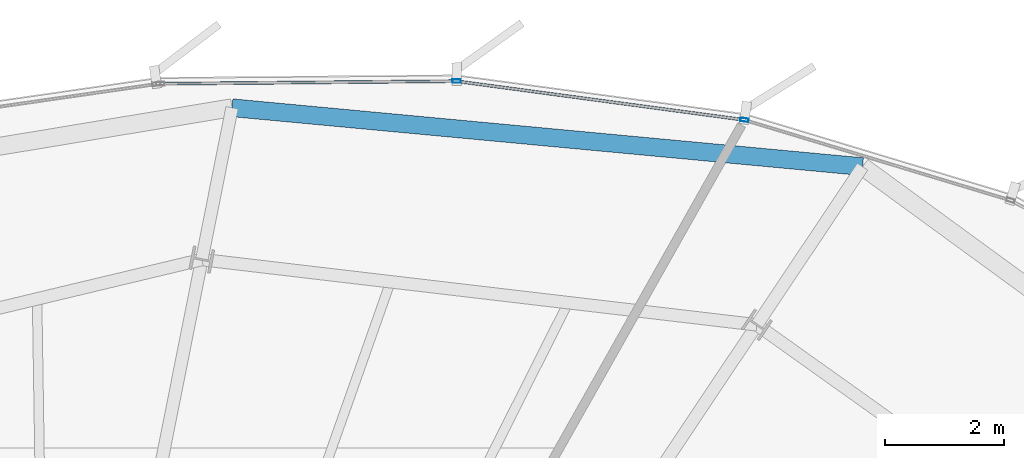
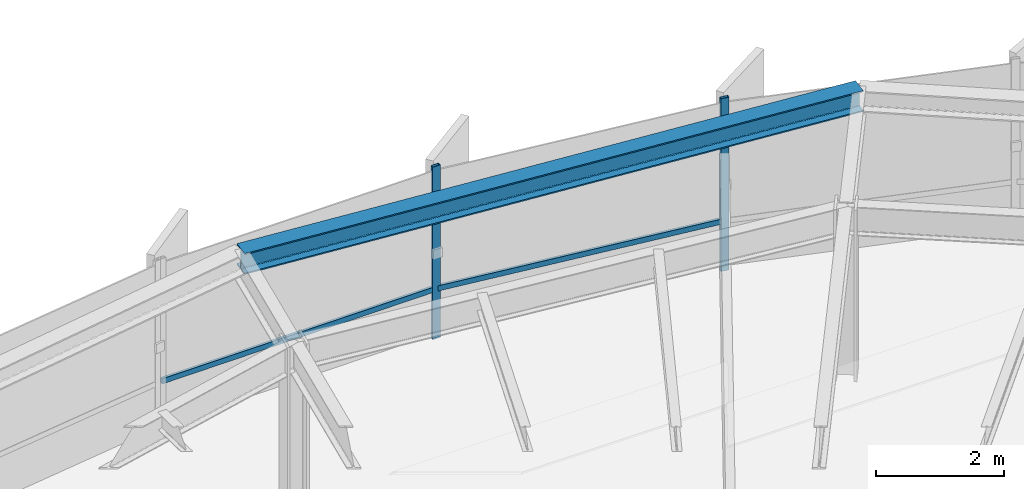
# One storey, part 27 of 35: 4 members, 1 beam, 1 element without a shape of its own.
"""IFC4 building model written with IfcOpenShell, lengths in metres."""

from ifc_helpers import new_model, si_unit, direction, frame, origin, origin_2d, place, context, subcontext, project, spatial, hollow_rectangle, i_section, extrude, source, transform, mapped, material, layer, layer_set, material_profile, profile_set, type_object, element, aggregate, save


model = new_model("IFC4")

# Units and contexts
model_context = context("Model", 3, precision=1e-05, world=origin(), true_north=direction((0.0, 1.0)))
body_context = subcontext(model_context, "Body", "Model", "MODEL_VIEW")
ifc_project = project(units=[si_unit("LENGTHUNIT", "METRE"), si_unit("AREAUNIT", "SQUARE_METRE"), si_unit("VOLUMEUNIT", "CUBIC_METRE"), si_unit("PLANEANGLEUNIT", "RADIAN"), si_unit("MASSUNIT", "GRAM", prefix="KILO"), si_unit("THERMODYNAMICTEMPERATUREUNIT", "KELVIN")], contexts=[model_context])

# Site, building, storey
site_placement = place(None, origin())
site = spatial("IfcSite", under=ifc_project, at=site_placement, CompositionType="ELEMENT")
building_placement = place(site_placement, origin())
building = spatial("IfcBuilding", under=site, at=building_placement, Name="Kethvar Cultural Tower", CompositionType="ELEMENT")
storey_placement = place(building_placement, frame((0.0, 0.0, 146.550048828125)))
storey = spatial("IfcBuildingStorey", under=building, at=storey_placement, Name="L37", CompositionType="ELEMENT", Elevation=146.550048828125)

# Beam
ifc_material_1 = material(Name="Steel S355J2", Category="steel")
ifc_material_profile_1 = material_profile(ifc_material_1, i_section(OverallWidth=0.300048828125, OverallDepth=0.39990234375, WebThickness=0.013427734375, FlangeThickness=0.02392578125, FilletRadius=0.027099609375, at=origin_2d()), Name="Steel S355J2 — HEB400")
ifc_profile_set_1 = profile_set([ifc_material_profile_1], Name="Steel S355J2 — HEB400")
beam_type = type_object("IfcBeamType", Name="BM-SP400", PredefinedType="SPANDREL", material=ifc_profile_set_1)
shared_shape_1 = source(origin(), body_context, "Body", "SweptSolid", [
    extrude(i_section(OverallWidth=0.300048828125, OverallDepth=0.39990234375, WebThickness=0.013427734375, FlangeThickness=0.02392578125, FilletRadius=0.027099609375, at=origin_2d()), origin(), (0.0, 0.0, 1.0), 10.65234375),
])
beam_placement = place(storey_placement, frame((62.1826171875, 50.821533203125, 3.097900390625), z_axis=(-0.995663529817, 0.093027605541, 0.0), x_axis=(-0.093027605541, -0.995663529817, 0.0)))
element("IfcBeam", 1, at=beam_placement, inside=storey, type_object=beam_type, Name="L37 Perimeter Spandrel Beam SP-03", PredefinedType="SPANDREL", context=body_context, shape_type="MappedRepresentation", body=[
    mapped(shared_shape_1, transform((0.0, 0.0, 0.0), scale=1.0)),
])

# Curtain wall, members
ifc_material_2 = material(Name="Aluminium 6063-T6", Category="aluminium")
ifc_layer = layer(ifc_material_2, 0.179931640625, Name="Aluminium 6063-T6", Category="aluminium")
ifc_layer_set = layer_set([ifc_layer], Name="Aluminium 6063-T6 (180 mm)")
curtain_wall_type = type_object("IfcCurtainWallType", Name="CW-SYS-04-Z34", PredefinedType="NOTDEFINED", material=ifc_layer_set)
curtain_wall_placement = place(storey_placement, origin())
curtain_wall = element("IfcCurtainWall", 2, at=curtain_wall_placement, inside=storey, type_object=curtain_wall_type, Name="L37 Curtain Wall Run 01", PredefinedType="NOTDEFINED")
ifc_material_profile_2 = material_profile(ifc_material_2, hollow_rectangle(XDim=0.06005859375, YDim=0.139892578125, WallThickness=0.0048828125, at=origin_2d()), Name="Aluminium 6063-T6 — RHS140x60x5")
ifc_profile_set_2 = profile_set([ifc_material_profile_2], Name="Aluminium 6063-T6 — RHS140x60x5")
member_type_1 = type_object("IfcMemberType", Name="CW-SYS-04-Z34-MUL", PredefinedType="MULLION", material=ifc_profile_set_2)
shared_shape_2 = source(origin(), body_context, "Body", "SweptSolid", [
    extrude(hollow_rectangle(XDim=0.06005859375, YDim=0.139892578125, WallThickness=0.0048828125, at=origin_2d()), origin(), (0.0, 0.0, 1.0), 3.300048828125),
])
member_1_placement = place(storey_placement, frame((60.19580078125, 51.607666015625, 0.0), z_axis=(0.0, 0.0, 1.0), x_axis=(-0.133225125519, -0.991085801498, 0.0)))
member_1 = element("IfcMember", 3, at=member_1_placement, type_object=member_type_1, Name="CW-L37-R01 Mullion 5", PredefinedType="MULLION", context=body_context, shape_type="MappedRepresentation", body=[
    mapped(shared_shape_2, transform((0.0, 0.0, 0.0), scale=1.0)),
])
member_2_placement = place(storey_placement, frame((55.354736328125, 52.259521484375, 0.0), z_axis=(0.0, 0.0, 1.0), x_axis=(0.008743988125, -0.999961770605, 0.0)))
member_2 = element("IfcMember", 4, at=member_2_placement, type_object=member_type_1, Name="CW-L37-R01 Mullion 6", PredefinedType="MULLION", context=body_context, shape_type="MappedRepresentation", body=[
    mapped(shared_shape_2, transform((0.0, 0.0, 0.0), scale=1.0)),
])
ifc_material_profile_3 = material_profile(ifc_material_2, hollow_rectangle(XDim=0.050048828125, YDim=0.10009765625, WallThickness=0.00390625, at=origin_2d()), Name="Aluminium 6063-T6 — RHS100x50x4")
ifc_profile_set_3 = profile_set([ifc_material_profile_3], Name="Aluminium 6063-T6 — RHS100x50x4")
member_type_2 = type_object("IfcMemberType", Name="CW-SYS-04-Z34-TRN", PredefinedType="USERDEFINED", material=ifc_profile_set_3)
shared_shape_3 = source(origin(), body_context, "Body", "SweptSolid", [
    extrude(hollow_rectangle(XDim=0.050048828125, YDim=0.10009765625, WallThickness=0.00390625, at=origin_2d()), origin(), (0.0, 0.0, 1.0), 4.814208984375),
])
member_3_placement = place(storey_placement, frame((60.153076171875, 51.61328125, 0.949951171875), z_axis=(-0.99107934911, 0.133273117201, 0.0), x_axis=(-0.133273117201, -0.99107934911, 0.0)))
member_3 = element("IfcMember", 5, at=member_3_placement, type_object=member_type_2, Name="CW-L37-R01 Transom 5", ObjectType="TRANSOM", PredefinedType="USERDEFINED", context=body_context, shape_type="MappedRepresentation", body=[
    mapped(shared_shape_3, transform((0.0, 0.0, 0.0), scale=1.0)),
])
shared_shape_4 = source(origin(), body_context, "Body", "SweptSolid", [
    extrude(hollow_rectangle(XDim=0.050048828125, YDim=0.10009765625, WallThickness=0.00390625, at=origin_2d()), origin(), (0.0, 0.0, 1.0), 4.936767578125),
])
member_4_placement = place(storey_placement, frame((55.3115234375, 52.25927734375, 0.949951171875), z_axis=(-0.999961688489, -0.008753373831, 0.0), x_axis=(0.008753373831, -0.999961688489, 0.0)))
member_4 = element("IfcMember", 6, at=member_4_placement, type_object=member_type_2, Name="CW-L37-R01 Transom 6", ObjectType="TRANSOM", PredefinedType="USERDEFINED", context=body_context, shape_type="MappedRepresentation", body=[
    mapped(shared_shape_4, transform((0.0, 0.0, 0.0), scale=1.0)),
])
aggregate(curtain_wall, [member_1, member_2, member_3, member_4])

save(model, "model.ifc")
